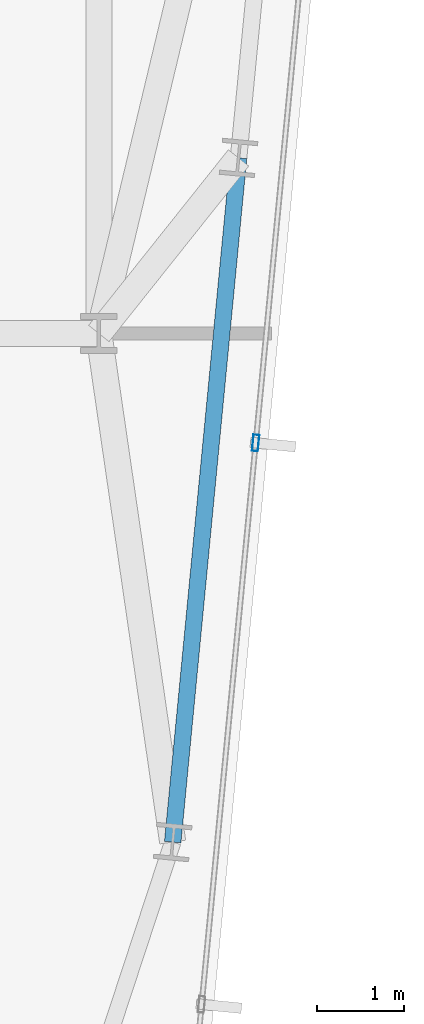
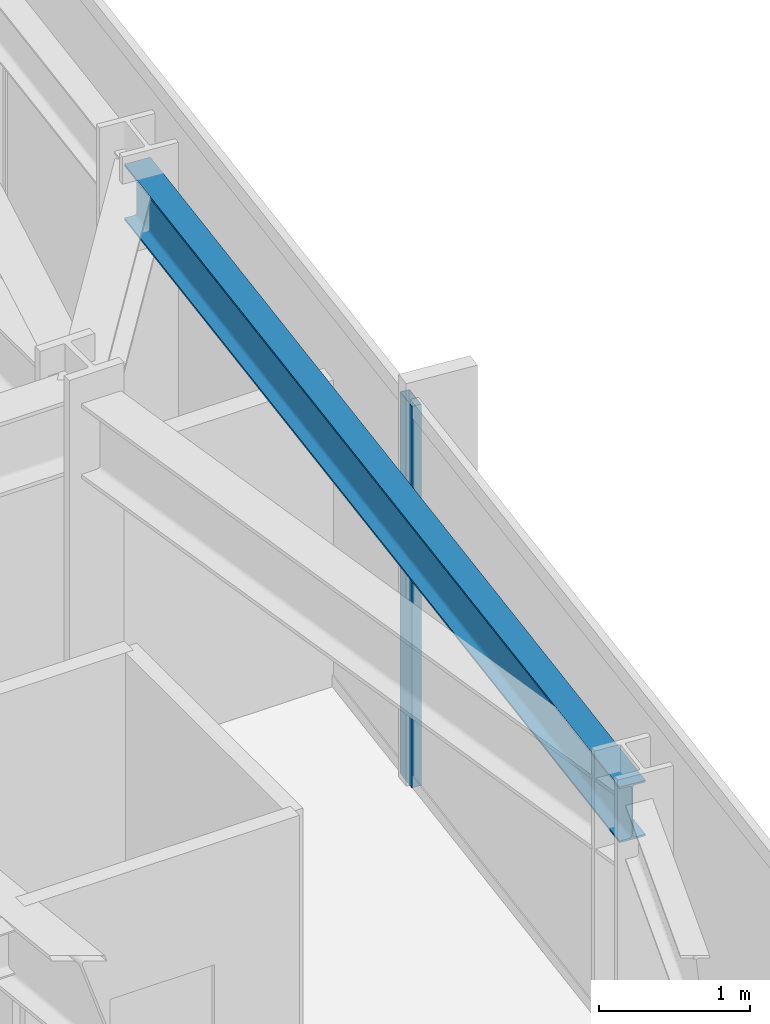
# One storey, part 16 of 37: 1 beam, 1 member, 1 element without a shape of its own.
"""IFC4 building model written with IfcOpenShell, lengths in metres."""

from ifc_helpers import new_model, si_unit, direction, frame, origin, origin_2d, place, context, subcontext, project, spatial, hollow_rectangle, i_section, extrude, material, material_profile, profile_set, type_object, element, aggregate, save


model = new_model("IFC4")

# Units and contexts
model_context = context("Model", 3, precision=1e-05, world=origin(), true_north=direction((0.0, 1.0)))
body_context = subcontext(model_context, "Body", "Model", "MODEL_VIEW")
ifc_project = project(units=[si_unit("LENGTHUNIT", "METRE"), si_unit("AREAUNIT", "SQUARE_METRE"), si_unit("VOLUMEUNIT", "CUBIC_METRE"), si_unit("PLANEANGLEUNIT", "RADIAN"), si_unit("MASSUNIT", "GRAM", prefix="KILO")], contexts=[model_context])

# Site, building, storey
site_placement = place(None, origin())
site = spatial("IfcSite", under=ifc_project, at=site_placement, CompositionType="ELEMENT")
building_placement = place(site_placement, origin())
building = spatial("IfcBuilding", under=site, at=building_placement, Name="Yelkora Congress Tower", CompositionType="ELEMENT")
storey_placement = place(building_placement, frame((0.0, 0.0, 158.89990234375)))
storey = spatial("IfcBuildingStorey", under=building, at=storey_placement, Name="L43", CompositionType="ELEMENT", Elevation=158.89990234375)

# Beam
ifc_material_1 = material(Name="Steel S355J2", Category="steel")
ifc_material_profile_1 = material_profile(ifc_material_1, i_section(OverallWidth=0.18994140625, OverallDepth=0.449951171875, WebThickness=0.009521484375, FlangeThickness=0.0146484375, FilletRadius=0.02099609375, at=origin_2d()), Name="IPE 450")
ifc_profile_set_1 = profile_set([ifc_material_profile_1], Name="Steel S355J2")
beam_type = type_object("IfcBeamType", Name="BM-SPAN-IPE450", PredefinedType="SPANDREL", material=ifc_profile_set_1)
beam_placement = place(storey_placement, frame((58.44921875, 19.353759765625, 2.85498046875), z_axis=(0.095831353931, 0.995397584689, 0.0), x_axis=(-0.995397584689, 0.095831353931, 0.0)))
element("IfcBeam", 1, at=beam_placement, inside=storey, type_object=beam_type, Name="L43 Perimeter Beam 10", PredefinedType="SPANDREL", context=body_context, shape_type="SweptSolid", body=[
    extrude(i_section(OverallWidth=0.18994140625, OverallDepth=0.449951171875, WebThickness=0.009521484375, FlangeThickness=0.0146484375, FilletRadius=0.02099609375, at=origin_2d()), origin(), (0.0, 0.0, 1.0), 7.900146484375),
])

# Curtain wall, member
ifc_material_2 = material(Name="Anodised aluminium and insulated glass", Category="aluminium")
curtain_wall_type = type_object("IfcCurtainWallType", Name="CW-SYS-B3", PredefinedType="NOTDEFINED", material=ifc_material_2)
curtain_wall_placement = place(storey_placement, origin())
curtain_wall = element("IfcCurtainWall", 2, at=curtain_wall_placement, inside=storey, type_object=curtain_wall_type, Name="L43 Unitised Curtain Wall 15", PredefinedType="NOTDEFINED")
ifc_material_3 = material(Name="Anodised aluminium 6063-T6", Category="aluminium")
ifc_material_profile_2 = material_profile(ifc_material_3, hollow_rectangle(XDim=0.070068359375, YDim=0.18994140625, WallThickness=0.00390625, at=origin_2d()), Name="ALU 70x190x4")
ifc_profile_set_2 = profile_set([ifc_material_profile_2], Name="Anodised aluminium 6063-T6")
member_type = type_object("IfcMemberType", Name="MEM-ML-B3", PredefinedType="MULLION", material=ifc_profile_set_2)
member_placement = place(storey_placement, frame((59.4033203125, 23.94140625, 0.0), z_axis=(0.0, 0.0, 1.0), x_axis=(0.995396565076, -0.095841944023, 0.0)))
member = element("IfcMember", 3, at=member_placement, type_object=member_type, Name="CW-B3 mullion 4", PredefinedType="MULLION", context=body_context, shape_type="SweptSolid", body=[
    extrude(hollow_rectangle(XDim=0.070068359375, YDim=0.18994140625, WallThickness=0.00390625, at=origin_2d()), origin(), (0.0, 0.0, 1.0), 3.080078125),
])
aggregate(curtain_wall, [member])

save(model, "model.ifc")
